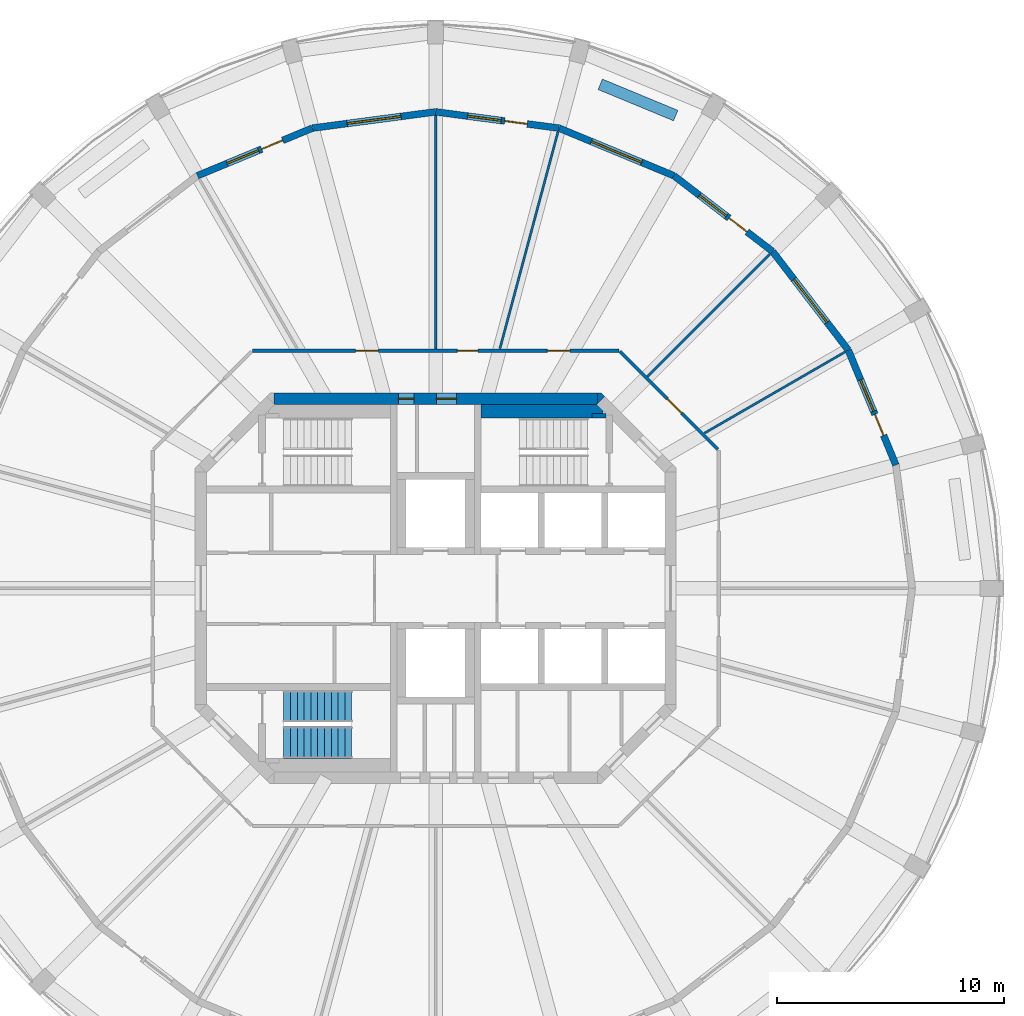
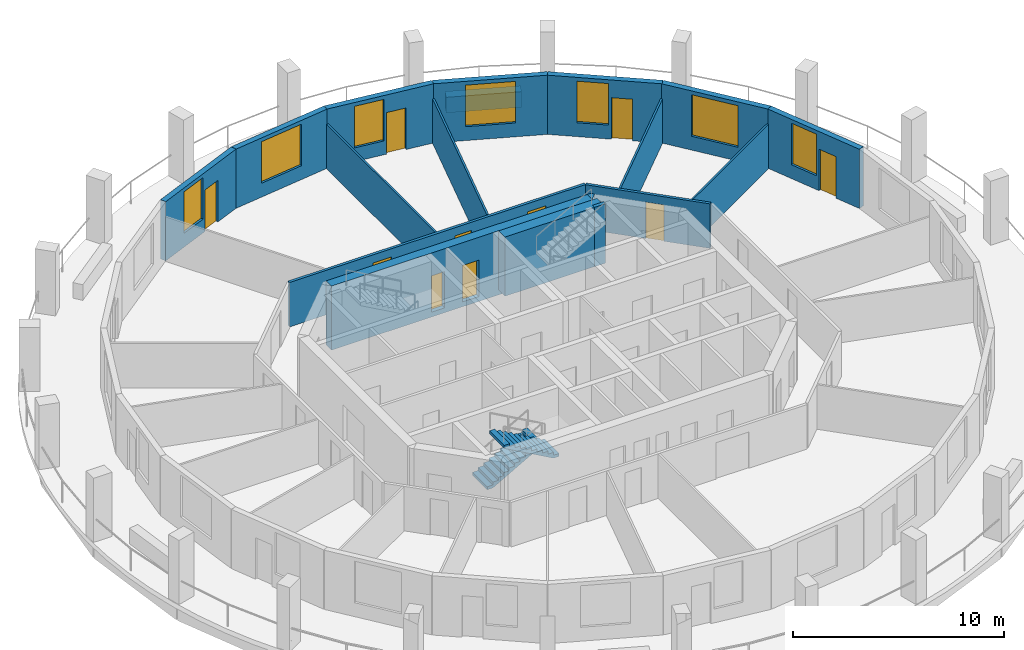
# One storey, part 6 of 9: 18 walls, 10 doors, 7 windows, 2 stair flights, 17 openings, 1 element without a shape of its own.
"""IFC4 building model written with IfcOpenShell, lengths in metres."""

from ifc_helpers import new_model, si_unit, direction, frame, frame_2d, origin, place, context, subcontext, project, spatial, polyline, rectangle, outline, extrude, material, layer, layer_set, type_object, element, fill, aggregate, save


model = new_model("IFC4")

# Units and contexts
model_context = context("Model", 3, precision=1e-05, world=origin(), true_north=direction((0.0, 1.0)))
body_context = subcontext(model_context, "Body", "Model", "MODEL_VIEW")
ifc_project = project(units=[si_unit("LENGTHUNIT", "METRE"), si_unit("AREAUNIT", "SQUARE_METRE"), si_unit("VOLUMEUNIT", "CUBIC_METRE"), si_unit("PLANEANGLEUNIT", "RADIAN"), si_unit("MASSUNIT", "GRAM", prefix="KILO")], contexts=[model_context])

# Site, building, storey
site_placement = place(None, origin())
site = spatial("IfcSite", under=ifc_project, at=site_placement, CompositionType="ELEMENT")
building_placement = place(site_placement, origin())
building = spatial("IfcBuilding", under=site, at=building_placement, Name="Torre Triforio", CompositionType="ELEMENT")
storey_placement = place(building_placement, frame((0.0, 0.0, 268.60009765625)))
storey = spatial("IfcBuildingStorey", under=building, at=storey_placement, Name="L62", CompositionType="ELEMENT", Elevation=268.60009765625)

# Wall, openings, doors
ifc_material_1 = material(Name="Concrete C40", Category="concrete")
ifc_layer_1 = layer(ifc_material_1, 0.5)
ifc_layer_set_1 = layer_set([ifc_layer_1], Name="Concrete C40")
wall_type_1 = type_object("IfcWallType", Name="Core wall 500 mm C40 EI 120", PredefinedType="SHEAR", material=ifc_layer_set_1)
wall_1_placement = place(storey_placement, frame((-7.1298828125, 8.35009765625, -0.280029296875), z_axis=(0.0, 0.0, 1.0), x_axis=(1.0, 0.0, 0.0)))
wall_1 = element("IfcWall", 1, at=wall_1_placement, inside=storey, type_object=wall_type_1, Name="Core wall", PredefinedType="SHEAR", context=body_context, shape_type="SweptSolid", body=[
    extrude(rectangle(XDim=14.259765625, YDim=0.5, at=frame_2d((7.1298828125, 0.0))), origin(), (0.0, 0.0, 1.0), 3.699951171875),
])
opening_1_placement = place(wall_1_placement, frame((5.47998046875, 0.0, 0.280029296875)))
opening_1 = element("IfcOpeningElement", 2, at=opening_1_placement, cuts=wall_1, Name="Opening RISER-N", PredefinedType="OPENING", context=body_context, shape_type="SweptSolid", body=[
    extrude(rectangle(XDim=0.699951171875, YDim=2.10009765625, at=frame_2d((0.35009765625, 1.050048828125))), frame((0.0, 0.260009765625, 0.0), z_axis=(0.0, -1.0, 0.0), x_axis=(1.0, 0.0, 0.0)), (0.0, 0.0, 1.0), 0.52001953125),
])
opening_2_placement = place(wall_1_placement, frame((7.155029296875, 0.0, 0.280029296875)))
opening_2 = element("IfcOpeningElement", 3, at=opening_2_placement, cuts=wall_1, Name="Opening NE-01", PredefinedType="OPENING", context=body_context, shape_type="SweptSolid", body=[
    extrude(rectangle(XDim=0.89990234375, YDim=2.10009765625, at=frame_2d((0.449951171875, 1.050048828125))), frame((0.0, 0.260009765625, 0.0), z_axis=(0.0, -1.0, 0.0), x_axis=(1.0, 0.0, 0.0)), (0.0, 0.0, 1.0), 0.52001953125),
])
ifc_material_2 = material(Name="Hollow metal fire door leaf")
door_type_1 = type_object("IfcDoorType", Name="Riser door 700 x 2100 EI 60", OperationType="NOTDEFINED", PredefinedType="DOOR", material=ifc_material_2)
door_1_placement = place(opening_1_placement, origin())
door_1 = element("IfcDoor", 4, at=door_1_placement, inside=storey, type_object=door_type_1, Name="Core door RISER-N", OperationType="SINGLE_SWING_LEFT", OverallHeight=2.10009765625, OverallWidth=0.699951171875, PredefinedType="DOOR", context=body_context, shape_type="SweptSolid", body=[
    extrude(rectangle(XDim=0.699951171875, YDim=2.10009765625, at=frame_2d((0.35009765625, 1.050048828125))), frame((0.0, 0.02490234375, 0.0), z_axis=(0.0, -1.0, 0.0), x_axis=(1.0, 0.0, 0.0)), (0.0, 0.0, 1.0), 0.050048828125),
])
fill(opening_1, door_1)
door_type_2 = type_object("IfcDoorType", Name="Room door 900 x 2100 EI 60", OperationType="NOTDEFINED", PredefinedType="DOOR", material=ifc_material_2)
door_2_placement = place(opening_2_placement, origin())
door_2 = element("IfcDoor", 5, at=door_2_placement, inside=storey, type_object=door_type_2, Name="Core door NE-01", OperationType="SINGLE_SWING_RIGHT", OverallHeight=2.10009765625, OverallWidth=0.89990234375, PredefinedType="DOOR", context=body_context, shape_type="SweptSolid", body=[
    extrude(rectangle(XDim=0.89990234375, YDim=2.10009765625, at=frame_2d((0.449951171875, 1.050048828125))), frame((0.0, 0.02490234375, 0.0), z_axis=(0.0, -1.0, 0.0), x_axis=(1.0, 0.0, 0.0)), (0.0, 0.0, 1.0), 0.050048828125),
])
fill(opening_2, door_2)

# Wall
wall_2_placement = place(storey_placement, frame((0.0, 0.0, -0.280029296875)))
element("IfcWall", 6, at=wall_2_placement, inside=storey, type_object=wall_type_1, Name="Core wall", PredefinedType="SHEAR", context=body_context, shape_type="SweptSolid", body=[
    extrude(outline(polyline([(7.30712890625, 8.60009765625), (7.45361328125, 8.45361328125), (7.1298828125, 8.1298828125), (7.1298828125, 8.60009765625), (7.30712890625, 8.60009765625)])), origin(), (0.0, 0.0, 1.0), 3.699951171875),
])

# Wall, openings, doors
ifc_material_3 = material(Name="Plasterboard on metal studs")
ifc_layer_2 = layer(ifc_material_3, 0.14990234375)
ifc_layer_set_2 = layer_set([ifc_layer_2], Name="Plasterboard on metal studs")
wall_type_2 = type_object("IfcWallType", Name="Corridor and tenancy wall 150 mm EI 60", PredefinedType="PARTITIONING", material=ifc_layer_set_2)
wall_3_placement = place(storey_placement, frame((-8.083740234375, 10.47509765625, 0.0), z_axis=(0.0, 0.0, 1.0), x_axis=(1.0, 0.0, 0.0)))
wall_3 = element("IfcWall", 7, at=wall_3_placement, inside=storey, type_object=wall_type_2, Name="Partition 6", PredefinedType="PARTITIONING", context=body_context, shape_type="SweptSolid", body=[
    extrude(rectangle(XDim=16.16748046875, YDim=0.14990234375, at=frame_2d((8.083740234375, 0.0))), origin(), (0.0, 0.0, 1.0), 2.56982421875),
])
opening_3_placement = place(wall_3_placement, frame((13.00390625, 0.0, 0.0)))
opening_3 = element("IfcOpeningElement", 8, at=opening_3_placement, cuts=wall_3, Name="Opening E2-09", PredefinedType="OPENING", context=body_context, shape_type="SweptSolid", body=[
    extrude(rectangle(XDim=1.0, YDim=2.10009765625, at=frame_2d((0.5, 1.050048828125))), frame((0.0, 0.0849609375, 0.0), z_axis=(0.0, -1.0, 0.0), x_axis=(1.0, 0.0, 0.0)), (0.0, 0.0, 1.0), 0.169921875),
])
opening_4_placement = place(wall_3_placement, frame((9.0380859375, 0.0, 0.0)))
opening_4 = element("IfcOpeningElement", 9, at=opening_4_placement, cuts=wall_3, Name="Opening E2-10", PredefinedType="OPENING", context=body_context, shape_type="SweptSolid", body=[
    extrude(rectangle(XDim=0.89990234375, YDim=2.10009765625, at=frame_2d((0.449951171875, 1.050048828125))), frame((0.0, 0.0849609375, 0.0), z_axis=(0.0, -1.0, 0.0), x_axis=(1.0, 0.0, 0.0)), (0.0, 0.0, 1.0), 0.169921875),
])
opening_5_placement = place(wall_3_placement, frame((4.555908203125, 0.0, 0.0)))
opening_5 = element("IfcOpeningElement", 10, at=opening_5_placement, cuts=wall_3, Name="Opening E2-11", PredefinedType="OPENING", context=body_context, shape_type="SweptSolid", body=[
    extrude(rectangle(XDim=1.0, YDim=2.10009765625, at=frame_2d((0.5, 1.050048828125))), frame((0.0, 0.0849609375, 0.0), z_axis=(0.0, -1.0, 0.0), x_axis=(1.0, 0.0, 0.0)), (0.0, 0.0, 1.0), 0.169921875),
])
ifc_material_4 = material(Name="Timber", Category="wood")
door_type_3 = type_object("IfcDoorType", Name="Door 1000 x 2100 single leaf EI 30", OperationType="NOTDEFINED", PredefinedType="DOOR", material=ifc_material_4)
door_3_placement = place(opening_3_placement, origin())
door_3 = element("IfcDoor", 11, at=door_3_placement, inside=storey, type_object=door_type_3, Name="Door E2-09", OperationType="SINGLE_SWING_LEFT", OverallHeight=2.10009765625, OverallWidth=1.0, PredefinedType="DOOR", context=body_context, shape_type="SweptSolid", body=[
    extrude(rectangle(XDim=1.0, YDim=2.10009765625, at=frame_2d((0.5, 1.050048828125))), frame((0.0, 0.02490234375, 0.0), z_axis=(0.0, -1.0, 0.0), x_axis=(1.0, 0.0, 0.0)), (0.0, 0.0, 1.0), 0.050048828125),
])
fill(opening_3, door_3)
door_4_placement = place(opening_5_placement, origin())
door_4 = element("IfcDoor", 12, at=door_4_placement, inside=storey, type_object=door_type_3, Name="Door E2-11", OperationType="SINGLE_SWING_LEFT", OverallHeight=2.10009765625, OverallWidth=1.0, PredefinedType="DOOR", context=body_context, shape_type="SweptSolid", body=[
    extrude(rectangle(XDim=1.0, YDim=2.10009765625, at=frame_2d((0.5, 1.050048828125))), frame((0.0, 0.02490234375, 0.0), z_axis=(0.0, -1.0, 0.0), x_axis=(1.0, 0.0, 0.0)), (0.0, 0.0, 1.0), 0.050048828125),
])
fill(opening_5, door_4)
door_type_4 = type_object("IfcDoorType", Name="Door 900 x 2100 single leaf EI 30", OperationType="NOTDEFINED", PredefinedType="DOOR", material=ifc_material_4)
door_5_placement = place(opening_4_placement, origin())
door_5 = element("IfcDoor", 13, at=door_5_placement, inside=storey, type_object=door_type_4, Name="Door E2-10", OperationType="SINGLE_SWING_LEFT", OverallHeight=2.10009765625, OverallWidth=0.89990234375, PredefinedType="DOOR", context=body_context, shape_type="SweptSolid", body=[
    extrude(rectangle(XDim=0.89990234375, YDim=2.10009765625, at=frame_2d((0.449951171875, 1.050048828125))), frame((0.0, 0.02490234375, 0.0), z_axis=(0.0, -1.0, 0.0), x_axis=(1.0, 0.0, 0.0)), (0.0, 0.0, 1.0), 0.050048828125),
])
fill(opening_4, door_5)

# Wall, opening, door
wall_4_placement = place(storey_placement, frame((8.120849609375, 10.43798828125, 0.0), z_axis=(0.0, 0.0, 1.0), x_axis=(0.707106781187, -0.707106781187, 0.0)))
wall_4 = element("IfcWall", 14, at=wall_4_placement, inside=storey, type_object=wall_type_2, Name="Partition 7", PredefinedType="PARTITIONING", context=body_context, shape_type="SweptSolid", body=[
    extrude(rectangle(XDim=6.10546875, YDim=0.14990234375, at=frame_2d((3.052734375, 0.0))), origin(), (0.0, 0.0, 1.0), 2.56982421875),
])
opening_6_placement = place(wall_4_placement, frame((2.947509765625, 0.0, 0.0)))
opening_6 = element("IfcOpeningElement", 15, at=opening_6_placement, cuts=wall_4, Name="Opening E2-08", PredefinedType="OPENING", context=body_context, shape_type="SweptSolid", body=[
    extrude(rectangle(XDim=0.89990234375, YDim=2.10009765625, at=frame_2d((0.449951171875, 1.050048828125))), frame((0.0, 0.0849609375, 0.0), z_axis=(0.0, -1.0, 0.0), x_axis=(1.0, 0.0, 0.0)), (0.0, 0.0, 1.0), 0.169921875),
])
door_6_placement = place(opening_6_placement, origin())
door_6 = element("IfcDoor", 16, at=door_6_placement, inside=storey, type_object=door_type_4, Name="Door E2-08", OperationType="SINGLE_SWING_LEFT", OverallHeight=2.10009765625, OverallWidth=0.89990234375, PredefinedType="DOOR", context=body_context, shape_type="SweptSolid", body=[
    extrude(rectangle(XDim=0.89990234375, YDim=2.10009765625, at=frame_2d((0.449951171875, 1.050048828125))), frame((0.0, 0.02490234375, 0.0), z_axis=(0.0, -1.0, 0.0), x_axis=(1.0, 0.0, 0.0)), (0.0, 0.0, 1.0), 0.050048828125),
])
fill(opening_6, door_6)

# Walls
ifc_layer_3 = layer(ifc_material_3, 0.10009765625)
ifc_layer_set_3 = layer_set([ifc_layer_3], Name="Plasterboard on metal studs")
wall_type_3 = type_object("IfcWallType", Name="Partition 100 mm board on metal studs", PredefinedType="PARTITIONING", material=ifc_layer_set_3)
wall_5_placement = place(storey_placement, frame((11.845947265625, 6.839111328125, 0.0), z_axis=(0.0, 0.0, 1.0), x_axis=(0.866011787705, 0.500023583, 0.0)))
element("IfcWall", 17, at=wall_5_placement, inside=storey, type_object=wall_type_3, Name="Partition 10", PredefinedType="PARTITIONING", context=body_context, shape_type="SweptSolid", body=[
    extrude(rectangle(XDim=7.158447265625, YDim=0.10009765625, at=frame_2d((3.5791015625, 0.0))), origin(), (0.0, 0.0, 1.0), 2.56982421875),
])
wall_6_placement = place(storey_placement, frame((9.33251953125, 9.33251953125, 0.0), z_axis=(0.0, 0.0, 1.0), x_axis=(0.707106781187, 0.707106781187, 0.0)))
element("IfcWall", 18, at=wall_6_placement, inside=storey, type_object=wall_type_3, Name="Partition 11", PredefinedType="PARTITIONING", context=body_context, shape_type="SweptSolid", body=[
    extrude(rectangle(XDim=7.638671875, YDim=0.10009765625, at=frame_2d((3.8193359375, 0.0))), origin(), (0.0, 0.0, 1.0), 2.56982421875),
])
wall_7_placement = place(storey_placement, frame((2.830810546875, 10.564208984375, 0.0), z_axis=(0.0, 0.0, 1.0), x_axis=(0.258795254151, 0.965932200741, 0.0)))
element("IfcWall", 19, at=wall_7_placement, inside=storey, type_object=wall_type_3, Name="Partition 12", PredefinedType="PARTITIONING", context=body_context, shape_type="SweptSolid", body=[
    extrude(rectangle(XDim=9.899658203125, YDim=0.10009765625, at=frame_2d((4.94970703125, 0.0))), origin(), (0.0, 0.0, 1.0), 2.56982421875),
])
wall_8_placement = place(storey_placement, frame((0.0, 10.550048828125, 0.0), z_axis=(0.0, 0.0, 1.0), x_axis=(0.0, 1.0, 0.0)))
element("IfcWall", 20, at=wall_8_placement, inside=storey, type_object=wall_type_3, Name="Partition 13", PredefinedType="PARTITIONING", context=body_context, shape_type="SweptSolid", body=[
    extrude(rectangle(XDim=10.28662109375, YDim=0.10009765625, at=frame_2d((5.143310546875, 0.0))), origin(), (0.0, 0.0, 1.0), 2.56982421875),
])
ifc_material_5 = material(Name="Limestone cladding", Category="masonry")
ifc_layer_4 = layer(ifc_material_5, 0.10009765625)
ifc_layer_5 = layer(ifc_material_1, 0.39990234375)
ifc_layer_set_4 = layer_set([ifc_layer_4, ifc_layer_5], Name="Limestone cladding / Concrete C40")
wall_type_4 = type_object("IfcWallType", Name="Planter wall 500", PredefinedType="PARAPET", material=ifc_layer_set_4)
wall_9_placement = place(storey_placement, frame((10.57958984375, 20.837646484375, 0.0), z_axis=(0.0, 0.0, 1.0), x_axis=(-0.923909393783, 0.382611332921, 0.0)))
element("IfcWall", 21, at=wall_9_placement, inside=storey, type_object=wall_type_4, Name="Planter L62 bay 05", PredefinedType="PARAPET", context=body_context, shape_type="SweptSolid", body=[
    extrude(rectangle(XDim=3.60009765625, YDim=0.5, at=frame_2d((1.800048828125, 0.0))), origin(), (0.0, 0.0, 1.0), 0.89990234375),
])
ifc_layer_6 = layer(ifc_material_1, 0.199951171875)
ifc_layer_set_5 = layer_set([ifc_layer_6], Name="Concrete C40")
wall_type_5 = type_object("IfcWallType", Name="Stair wall 200 mm C40 EI 120", PredefinedType="SHEAR", material=ifc_layer_set_5)
wall_10_placement = place(storey_placement, frame((6.89990234375, 7.60009765625, 0.0), z_axis=(0.0, 0.0, 1.0), x_axis=(1.0, 0.0, 0.0)))
element("IfcWall", 22, at=wall_10_placement, inside=storey, type_object=wall_type_5, Name="Stair wall", PredefinedType="SHEAR", context=body_context, shape_type="SweptSolid", body=[
    extrude(rectangle(XDim=0.60009765625, YDim=0.199951171875, at=frame_2d((0.300048828125, 0.0))), origin(), (0.0, 0.0, 1.0), 3.419921875),
])
ifc_layer_7 = layer(ifc_material_1, 0.60009765625)
ifc_layer_set_6 = layer_set([ifc_layer_7], Name="Concrete C40")
wall_type_6 = type_object("IfcWallType", Name="Stair wall 600 mm C40 EI 120", PredefinedType="SHEAR", material=ifc_layer_set_6)
wall_11_placement = place(storey_placement, frame((2.0, 7.800048828125, 0.0), z_axis=(0.0, 0.0, 1.0), x_axis=(1.0, 0.0, 0.0)))
element("IfcWall", 23, at=wall_11_placement, inside=storey, type_object=wall_type_6, Name="Stair wall", PredefinedType="SHEAR", context=body_context, shape_type="SweptSolid", body=[
    extrude(rectangle(XDim=5.3701171875, YDim=0.60009765625, at=frame_2d((2.68505859375, 0.0))), origin(), (0.0, 0.0, 1.0), 3.419921875),
])

# Wall, openings, door, window
ifc_layer_8 = layer(ifc_material_5, 0.10009765625)
ifc_layer_9 = layer(ifc_material_1, 0.199951171875)
ifc_layer_set_7 = layer_set([ifc_layer_8, ifc_layer_9], Name="Limestone cladding / Concrete C40")
wall_type_7 = type_object("IfcWallType", Name="Stone-faced composite wall 300", PredefinedType="STANDARD", material=ifc_layer_set_7)
wall_12_placement = place(storey_placement, frame((20.284423828125, 5.435302734375, 0.0), z_axis=(0.0, 0.0, 1.0), x_axis=(-0.382688740813, 0.923877333662, 0.0)))
wall_12 = element("IfcWall", 24, at=wall_12_placement, inside=storey, type_object=wall_type_7, Name="External wall L62 bay 02", PredefinedType="STANDARD", context=body_context, shape_type="SweptSolid", body=[
    extrude(rectangle(XDim=5.48193359375, YDim=0.300048828125, at=frame_2d((2.740966796875, 0.0))), origin(), (0.0, 0.0, 1.0), 3.419921875),
])
opening_7_placement = place(wall_12_placement, frame((1.416015625, 0.0, 0.0)))
opening_7 = element("IfcOpeningElement", 25, at=opening_7_placement, cuts=wall_12, Name="Opening E2-D02", PredefinedType="OPENING", context=body_context, shape_type="SweptSolid", body=[
    extrude(rectangle(XDim=1.0, YDim=2.39990234375, at=frame_2d((0.5, 1.199951171875))), frame((0.0, 0.159912109375, 0.0), z_axis=(0.0, -1.0, 0.0), x_axis=(1.0, 0.0, 0.0)), (0.0, 0.0, 1.0), 0.320068359375),
])
opening_8_placement = place(wall_12_placement, frame((2.566162109375, 0.0, 0.800048828125)))
opening_8 = element("IfcOpeningElement", 26, at=opening_8_placement, cuts=wall_12, Name="Opening E2-W02A", PredefinedType="OPENING", context=body_context, shape_type="SweptSolid", body=[
    extrude(rectangle(XDim=1.5, YDim=2.39990234375, at=frame_2d((0.75, 1.199951171875))), frame((0.0, 0.159912109375, 0.0), z_axis=(0.0, -1.0, 0.0), x_axis=(1.0, 0.0, 0.0)), (0.0, 0.0, 1.0), 0.320068359375),
])
ifc_material_6 = material(Name="Aluminium frame with clear double glazing", Category="aluminium")
door_type_5 = type_object("IfcDoorType", Name="Loggia door 1000 x 2400", OperationType="NOTDEFINED", PredefinedType="DOOR", material=ifc_material_6)
door_7_placement = place(opening_7_placement, origin())
door_7 = element("IfcDoor", 27, at=door_7_placement, inside=storey, type_object=door_type_5, Name="Loggia door L62 bay 02", OperationType="SINGLE_SWING_LEFT", OverallHeight=2.39990234375, OverallWidth=1.0, PredefinedType="DOOR", context=body_context, shape_type="SweptSolid", body=[
    extrude(rectangle(XDim=1.0, YDim=2.39990234375, at=frame_2d((0.5, 1.199951171875))), frame((0.0, 0.02490234375, 0.0), z_axis=(0.0, -1.0, 0.0), x_axis=(1.0, 0.0, 0.0)), (0.0, 0.0, 1.0), 0.050048828125),
])
fill(opening_7, door_7)
window_type_1 = type_object("IfcWindowType", Name="Side window 1500 x 2400", PartitioningType="SINGLE_PANEL", PredefinedType="WINDOW", material=ifc_material_6)
window_1_placement = place(opening_8_placement, origin())
window_1 = element("IfcWindow", 28, at=window_1_placement, inside=storey, type_object=window_type_1, Name="Side window EWN14 L62 bay 02", OverallHeight=2.39990234375, OverallWidth=1.5, PartitioningType="SINGLE_PANEL", PredefinedType="WINDOW", context=body_context, shape_type="SweptSolid", body=[
    extrude(rectangle(XDim=1.5, YDim=2.39990234375, at=frame_2d((0.75, 1.199951171875))), frame((0.0, 0.030029296875, 0.0), z_axis=(0.0, -1.0, 0.0), x_axis=(1.0, 0.0, 0.0)), (0.0, 0.0, 1.0), 0.06005859375),
])
fill(opening_8, window_1)

# Wall, opening, window
wall_13_placement = place(storey_placement, frame((18.1865234375, 10.5, 0.0), z_axis=(0.0, 0.0, 1.0), x_axis=(-0.608784891166, 0.793335336593, 0.0)))
wall_13 = element("IfcWall", 29, at=wall_13_placement, inside=storey, type_object=wall_type_7, Name="External wall L62 bay 03", PredefinedType="STANDARD", context=body_context, shape_type="SweptSolid", body=[
    extrude(rectangle(XDim=5.482177734375, YDim=0.300048828125, at=frame_2d((2.7412109375, 0.0))), origin(), (0.0, 0.0, 1.0), 3.419921875),
])
opening_9_placement = place(wall_13_placement, frame((1.541015625, 0.0, 0.800048828125)))
opening_9 = element("IfcOpeningElement", 30, at=opening_9_placement, cuts=wall_13, Name="Opening E2-W03", PredefinedType="OPENING", context=body_context, shape_type="SweptSolid", body=[
    extrude(rectangle(XDim=2.39990234375, YDim=2.39990234375, at=frame_2d((1.199951171875, 1.199951171875))), frame((0.0, 0.159912109375, 0.0), z_axis=(0.0, -1.0, 0.0), x_axis=(1.0, 0.0, 0.0)), (0.0, 0.0, 1.0), 0.320068359375),
])
window_type_2 = type_object("IfcWindowType", Name="Punched window 2400 x 2400", PartitioningType="DOUBLE_PANEL_VERTICAL", PredefinedType="WINDOW", material=ifc_material_6)
window_2_placement = place(opening_9_placement, origin())
window_2 = element("IfcWindow", 31, at=window_2_placement, inside=storey, type_object=window_type_2, Name="Window EWN4 L62 bay 03", OverallHeight=2.39990234375, OverallWidth=2.39990234375, PartitioningType="SINGLE_PANEL", PredefinedType="WINDOW", context=body_context, shape_type="SweptSolid", body=[
    extrude(rectangle(XDim=2.39990234375, YDim=2.39990234375, at=frame_2d((1.199951171875, 1.199951171875))), frame((0.0, 0.030029296875, 0.0), z_axis=(0.0, -1.0, 0.0), x_axis=(1.0, 0.0, 0.0)), (0.0, 0.0, 1.0), 0.06005859375),
])
fill(opening_9, window_2)

# Wall, openings, door, window
wall_14_placement = place(storey_placement, frame((14.84912109375, 14.84912109375, 0.0), z_axis=(0.0, 0.0, 1.0), x_axis=(-0.793335336593, 0.608784891166, 0.0)))
wall_14 = element("IfcWall", 32, at=wall_14_placement, inside=storey, type_object=wall_type_7, Name="External wall L62 bay 04", PredefinedType="STANDARD", context=body_context, shape_type="SweptSolid", body=[
    extrude(rectangle(XDim=5.482177734375, YDim=0.300048828125, at=frame_2d((2.7412109375, 0.0))), origin(), (0.0, 0.0, 1.0), 3.419921875),
])
opening_10_placement = place(wall_14_placement, frame((1.416015625, 0.0, 0.0)))
opening_10 = element("IfcOpeningElement", 33, at=opening_10_placement, cuts=wall_14, Name="Opening E2-D04", PredefinedType="OPENING", context=body_context, shape_type="SweptSolid", body=[
    extrude(rectangle(XDim=1.0, YDim=2.39990234375, at=frame_2d((0.5, 1.199951171875))), frame((0.0, 0.159912109375, 0.0), z_axis=(0.0, -1.0, 0.0), x_axis=(1.0, 0.0, 0.0)), (0.0, 0.0, 1.0), 0.320068359375),
])
opening_11_placement = place(wall_14_placement, frame((2.56591796875, 0.0, 0.800048828125)))
opening_11 = element("IfcOpeningElement", 34, at=opening_11_placement, cuts=wall_14, Name="Opening E2-W04A", PredefinedType="OPENING", context=body_context, shape_type="SweptSolid", body=[
    extrude(rectangle(XDim=1.5, YDim=2.39990234375, at=frame_2d((0.75, 1.199951171875))), frame((0.0, 0.159912109375, 0.0), z_axis=(0.0, -1.0, 0.0), x_axis=(1.0, 0.0, 0.0)), (0.0, 0.0, 1.0), 0.320068359375),
])
door_8_placement = place(opening_10_placement, origin())
door_8 = element("IfcDoor", 35, at=door_8_placement, inside=storey, type_object=door_type_5, Name="Loggia door L62 bay 04", OperationType="SINGLE_SWING_LEFT", OverallHeight=2.39990234375, OverallWidth=1.0, PredefinedType="DOOR", context=body_context, shape_type="SweptSolid", body=[
    extrude(rectangle(XDim=1.0, YDim=2.39990234375, at=frame_2d((0.5, 1.199951171875))), frame((0.0, 0.02490234375, 0.0), z_axis=(0.0, -1.0, 0.0), x_axis=(1.0, 0.0, 0.0)), (0.0, 0.0, 1.0), 0.050048828125),
])
fill(opening_10, door_8)
window_3_placement = place(opening_11_placement, origin())
window_3 = element("IfcWindow", 36, at=window_3_placement, inside=storey, type_object=window_type_1, Name="Side window EWN14 L62 bay 04", OverallHeight=2.39990234375, OverallWidth=1.5, PartitioningType="SINGLE_PANEL", PredefinedType="WINDOW", context=body_context, shape_type="SweptSolid", body=[
    extrude(rectangle(XDim=1.5, YDim=2.39990234375, at=frame_2d((0.75, 1.199951171875))), frame((0.0, 0.030029296875, 0.0), z_axis=(0.0, -1.0, 0.0), x_axis=(1.0, 0.0, 0.0)), (0.0, 0.0, 1.0), 0.06005859375),
])
fill(opening_11, window_3)

# Wall, opening, window
wall_15_placement = place(storey_placement, frame((10.5, 18.1865234375, 0.0), z_axis=(0.0, 0.0, 1.0), x_axis=(-0.923877333662, 0.382688740813, 0.0)))
wall_15 = element("IfcWall", 37, at=wall_15_placement, inside=storey, type_object=wall_type_7, Name="External wall L62 bay 05", PredefinedType="STANDARD", context=body_context, shape_type="SweptSolid", body=[
    extrude(rectangle(XDim=5.48193359375, YDim=0.300048828125, at=frame_2d((2.740966796875, 0.0))), origin(), (0.0, 0.0, 1.0), 3.419921875),
])
opening_12_placement = place(wall_15_placement, frame((1.541015625, 0.0, 0.800048828125)))
opening_12 = element("IfcOpeningElement", 38, at=opening_12_placement, cuts=wall_15, Name="Opening E2-W05", PredefinedType="OPENING", context=body_context, shape_type="SweptSolid", body=[
    extrude(rectangle(XDim=2.39990234375, YDim=2.39990234375, at=frame_2d((1.199951171875, 1.199951171875))), frame((0.0, 0.159912109375, 0.0), z_axis=(0.0, -1.0, 0.0), x_axis=(1.0, 0.0, 0.0)), (0.0, 0.0, 1.0), 0.320068359375),
])
window_4_placement = place(opening_12_placement, origin())
window_4 = element("IfcWindow", 39, at=window_4_placement, inside=storey, type_object=window_type_2, Name="Window EWN4 L62 bay 05", OverallHeight=2.39990234375, OverallWidth=2.39990234375, PartitioningType="SINGLE_PANEL", PredefinedType="WINDOW", context=body_context, shape_type="SweptSolid", body=[
    extrude(rectangle(XDim=2.39990234375, YDim=2.39990234375, at=frame_2d((1.199951171875, 1.199951171875))), frame((0.0, 0.030029296875, 0.0), z_axis=(0.0, -1.0, 0.0), x_axis=(1.0, 0.0, 0.0)), (0.0, 0.0, 1.0), 0.06005859375),
])
fill(opening_12, window_4)

# Wall, openings, door, window
wall_16_placement = place(storey_placement, frame((5.435302734375, 20.284423828125, 0.0), z_axis=(0.0, 0.0, 1.0), x_axis=(-0.991444743541, 0.130527087244, 0.0)))
wall_16 = element("IfcWall", 40, at=wall_16_placement, inside=storey, type_object=wall_type_7, Name="External wall L62 bay 06", PredefinedType="STANDARD", context=body_context, shape_type="SweptSolid", body=[
    extrude(rectangle(XDim=5.482177734375, YDim=0.300048828125, at=frame_2d((2.7412109375, 0.0))), origin(), (0.0, 0.0, 1.0), 3.419921875),
])
opening_13_placement = place(wall_16_placement, frame((1.416015625, 0.0, 0.0)))
opening_13 = element("IfcOpeningElement", 41, at=opening_13_placement, cuts=wall_16, Name="Opening E2-D06", PredefinedType="OPENING", context=body_context, shape_type="SweptSolid", body=[
    extrude(rectangle(XDim=1.0, YDim=2.39990234375, at=frame_2d((0.5, 1.199951171875))), frame((0.0, 0.159912109375, 0.0), z_axis=(0.0, -1.0, 0.0), x_axis=(1.0, 0.0, 0.0)), (0.0, 0.0, 1.0), 0.320068359375),
])
opening_14_placement = place(wall_16_placement, frame((2.566162109375, 0.0, 0.800048828125)))
opening_14 = element("IfcOpeningElement", 42, at=opening_14_placement, cuts=wall_16, Name="Opening E2-W06A", PredefinedType="OPENING", context=body_context, shape_type="SweptSolid", body=[
    extrude(rectangle(XDim=1.5, YDim=2.39990234375, at=frame_2d((0.75, 1.199951171875))), frame((0.0, 0.159912109375, 0.0), z_axis=(0.0, -1.0, 0.0), x_axis=(1.0, 0.0, 0.0)), (0.0, 0.0, 1.0), 0.320068359375),
])
door_9_placement = place(opening_13_placement, origin())
door_9 = element("IfcDoor", 43, at=door_9_placement, inside=storey, type_object=door_type_5, Name="Loggia door L62 bay 06", OperationType="SINGLE_SWING_LEFT", OverallHeight=2.39990234375, OverallWidth=1.0, PredefinedType="DOOR", context=body_context, shape_type="SweptSolid", body=[
    extrude(rectangle(XDim=1.0, YDim=2.39990234375, at=frame_2d((0.5, 1.199951171875))), frame((0.0, 0.02490234375, 0.0), z_axis=(0.0, -1.0, 0.0), x_axis=(1.0, 0.0, 0.0)), (0.0, 0.0, 1.0), 0.050048828125),
])
fill(opening_13, door_9)
window_5_placement = place(opening_14_placement, origin())
window_5 = element("IfcWindow", 44, at=window_5_placement, inside=storey, type_object=window_type_1, Name="Side window EWN14 L62 bay 06", OverallHeight=2.39990234375, OverallWidth=1.5, PartitioningType="SINGLE_PANEL", PredefinedType="WINDOW", context=body_context, shape_type="SweptSolid", body=[
    extrude(rectangle(XDim=1.5, YDim=2.39990234375, at=frame_2d((0.75, 1.199951171875))), frame((0.0, 0.030029296875, 0.0), z_axis=(0.0, -1.0, 0.0), x_axis=(1.0, 0.0, 0.0)), (0.0, 0.0, 1.0), 0.06005859375),
])
fill(opening_14, window_5)

# Wall, opening, window
wall_17_placement = place(storey_placement, frame((0.0, 21.0, 0.0), z_axis=(0.0, 0.0, 1.0), x_axis=(-0.991444743541, -0.130527087244, 0.0)))
wall_17 = element("IfcWall", 45, at=wall_17_placement, inside=storey, type_object=wall_type_7, Name="External wall L62 bay 07", PredefinedType="STANDARD", context=body_context, shape_type="SweptSolid", body=[
    extrude(rectangle(XDim=5.482177734375, YDim=0.300048828125, at=frame_2d((2.7412109375, 0.0))), origin(), (0.0, 0.0, 1.0), 3.419921875),
])
opening_15_placement = place(wall_17_placement, frame((1.541015625, 0.0, 0.800048828125)))
opening_15 = element("IfcOpeningElement", 46, at=opening_15_placement, cuts=wall_17, Name="Opening E2-W07", PredefinedType="OPENING", context=body_context, shape_type="SweptSolid", body=[
    extrude(rectangle(XDim=2.39990234375, YDim=2.39990234375, at=frame_2d((1.199951171875, 1.199951171875))), frame((0.0, 0.159912109375, 0.0), z_axis=(0.0, -1.0, 0.0), x_axis=(1.0, 0.0, 0.0)), (0.0, 0.0, 1.0), 0.320068359375),
])
window_6_placement = place(opening_15_placement, origin())
window_6 = element("IfcWindow", 47, at=window_6_placement, inside=storey, type_object=window_type_2, Name="Window EWN4 L62 bay 07", OverallHeight=2.39990234375, OverallWidth=2.39990234375, PartitioningType="SINGLE_PANEL", PredefinedType="WINDOW", context=body_context, shape_type="SweptSolid", body=[
    extrude(rectangle(XDim=2.39990234375, YDim=2.39990234375, at=frame_2d((1.199951171875, 1.199951171875))), frame((0.0, 0.030029296875, 0.0), z_axis=(0.0, -1.0, 0.0), x_axis=(1.0, 0.0, 0.0)), (0.0, 0.0, 1.0), 0.06005859375),
])
fill(opening_15, window_6)

# Wall, openings, door, window
wall_18_placement = place(storey_placement, frame((-5.435302734375, 20.284423828125, 0.0), z_axis=(0.0, 0.0, 1.0), x_axis=(-0.923877333662, -0.382688740813, 0.0)))
wall_18 = element("IfcWall", 48, at=wall_18_placement, inside=storey, type_object=wall_type_7, Name="External wall L62 bay 08", PredefinedType="STANDARD", context=body_context, shape_type="SweptSolid", body=[
    extrude(rectangle(XDim=5.48193359375, YDim=0.300048828125, at=frame_2d((2.740966796875, 0.0))), origin(), (0.0, 0.0, 1.0), 3.419921875),
])
opening_16_placement = place(wall_18_placement, frame((1.416015625, 0.0, 0.0)))
opening_16 = element("IfcOpeningElement", 49, at=opening_16_placement, cuts=wall_18, Name="Opening E2-D08", PredefinedType="OPENING", context=body_context, shape_type="SweptSolid", body=[
    extrude(rectangle(XDim=1.0, YDim=2.39990234375, at=frame_2d((0.5, 1.199951171875))), frame((0.0, 0.159912109375, 0.0), z_axis=(0.0, -1.0, 0.0), x_axis=(1.0, 0.0, 0.0)), (0.0, 0.0, 1.0), 0.320068359375),
])
opening_17_placement = place(wall_18_placement, frame((2.566162109375, 0.0, 0.800048828125)))
opening_17 = element("IfcOpeningElement", 50, at=opening_17_placement, cuts=wall_18, Name="Opening E2-W08A", PredefinedType="OPENING", context=body_context, shape_type="SweptSolid", body=[
    extrude(rectangle(XDim=1.5, YDim=2.39990234375, at=frame_2d((0.75, 1.199951171875))), frame((0.0, 0.159912109375, 0.0), z_axis=(0.0, -1.0, 0.0), x_axis=(1.0, 0.0, 0.0)), (0.0, 0.0, 1.0), 0.320068359375),
])
door_10_placement = place(opening_16_placement, origin())
door_10 = element("IfcDoor", 51, at=door_10_placement, inside=storey, type_object=door_type_5, Name="Loggia door L62 bay 08", OperationType="SINGLE_SWING_LEFT", OverallHeight=2.39990234375, OverallWidth=1.0, PredefinedType="DOOR", context=body_context, shape_type="SweptSolid", body=[
    extrude(rectangle(XDim=1.0, YDim=2.39990234375, at=frame_2d((0.5, 1.199951171875))), frame((0.0, 0.02490234375, 0.0), z_axis=(0.0, -1.0, 0.0), x_axis=(1.0, 0.0, 0.0)), (0.0, 0.0, 1.0), 0.050048828125),
])
fill(opening_16, door_10)
window_7_placement = place(opening_17_placement, origin())
window_7 = element("IfcWindow", 52, at=window_7_placement, inside=storey, type_object=window_type_1, Name="Side window EWN14 L62 bay 08", OverallHeight=2.39990234375, OverallWidth=1.5, PartitioningType="SINGLE_PANEL", PredefinedType="WINDOW", context=body_context, shape_type="SweptSolid", body=[
    extrude(rectangle(XDim=1.5, YDim=2.39990234375, at=frame_2d((0.75, 1.199951171875))), frame((0.0, 0.030029296875, 0.0), z_axis=(0.0, -1.0, 0.0), x_axis=(1.0, 0.0, 0.0)), (0.0, 0.0, 1.0), 0.06005859375),
])
fill(opening_17, window_7)

# Stair, stair flights
stair_type = type_object("IfcStairType", Name="STAIR HALF-TURN", PredefinedType="HALF_TURN_STAIR", material=ifc_material_1)
stair_placement = place(storey_placement, origin())
stair = element("IfcStair", 53, at=stair_placement, inside=storey, type_object=stair_type, Name="Exit stair 3", PredefinedType="HALF_TURN_STAIR")
stair_flight_type = type_object("IfcStairFlightType", Name="STAIR FLIGHT 1400", PredefinedType="STRAIGHT", material=ifc_material_1)
stair_flight_1_placement = place(storey_placement, frame((-6.699951171875, -5.199951171875, 0.0), z_axis=(0.0, 0.0, 1.0), x_axis=(1.0, 0.0, 0.0)))
stair_flight_1 = element("IfcStairFlight", 54, at=stair_flight_1_placement, type_object=stair_flight_type, Name="ST3 flight 1", NumberOfRisers=11, NumberOfTreads=10, PredefinedType="STRAIGHT", RiserHeight=0.168181818, TreadLength=0.3, context=body_context, shape_type="SweptSolid", body=[
    extrude(outline(polyline([(0.0, 0.0), (0.0, 0.168212890625), (0.300048828125, 0.168212890625), (0.300048828125, 0.33642578125), (0.60009765625, 0.33642578125), (0.60009765625, 0.504638671875), (0.89990234375, 0.504638671875), (0.89990234375, 0.672607421875), (1.199951171875, 0.672607421875), (1.199951171875, 0.8408203125), (1.5, 0.8408203125), (1.5, 1.009033203125), (1.800048828125, 1.009033203125), (1.800048828125, 1.17724609375), (2.10009765625, 1.17724609375), (2.10009765625, 1.345458984375), (2.39990234375, 1.345458984375), (2.39990234375, 1.513671875), (2.699951171875, 1.513671875), (2.699951171875, 1.681884765625), (3.0, 1.681884765625), (3.0, 1.85009765625), (3.0, 1.510009765625), (0.306640625, 0.0), (0.0, 0.0)])), frame((0.0, 0.699951171875, 0.0), z_axis=(0.0, -1.0, 0.0), x_axis=(1.0, 0.0, 0.0)), (0.0, 0.0, 1.0), 1.39990234375),
])
stair_flight_2_placement = place(storey_placement, frame((-3.699951171875, -6.800048828125, 1.849853515625), z_axis=(0.0, 0.0, 1.0), x_axis=(-1.0, 0.0, 0.0)))
stair_flight_2 = element("IfcStairFlight", 55, at=stair_flight_2_placement, type_object=stair_flight_type, Name="ST3 flight 2", NumberOfRisers=11, NumberOfTreads=10, PredefinedType="STRAIGHT", RiserHeight=0.168181818, TreadLength=0.3, context=body_context, shape_type="SweptSolid", body=[
    extrude(outline(polyline([(0.0, 0.0), (0.0, 0.168212890625), (0.300048828125, 0.168212890625), (0.300048828125, 0.33642578125), (0.60009765625, 0.33642578125), (0.60009765625, 0.504638671875), (0.89990234375, 0.504638671875), (0.89990234375, 0.672607421875), (1.199951171875, 0.672607421875), (1.199951171875, 0.8408203125), (1.5, 0.8408203125), (1.5, 1.009033203125), (1.800048828125, 1.009033203125), (1.800048828125, 1.17724609375), (2.10009765625, 1.17724609375), (2.10009765625, 1.345458984375), (2.39990234375, 1.345458984375), (2.39990234375, 1.513671875), (2.699951171875, 1.513671875), (2.699951171875, 1.681884765625), (3.0, 1.681884765625), (3.0, 1.85009765625), (3.0, 1.510009765625), (0.306640625, 0.0), (0.0, 0.0)])), frame((0.0, 0.699951171875, 0.0), z_axis=(0.0, -1.0, 0.0), x_axis=(1.0, 0.0, 0.0)), (0.0, 0.0, 1.0), 1.39990234375),
])
aggregate(stair, [stair_flight_1, stair_flight_2])

save(model, "model.ifc")
